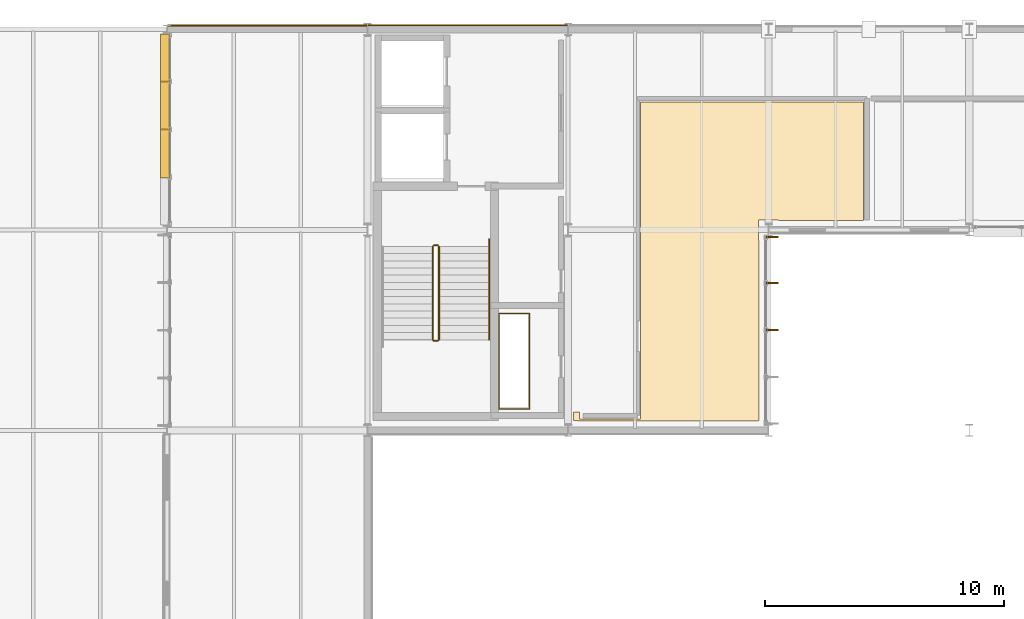
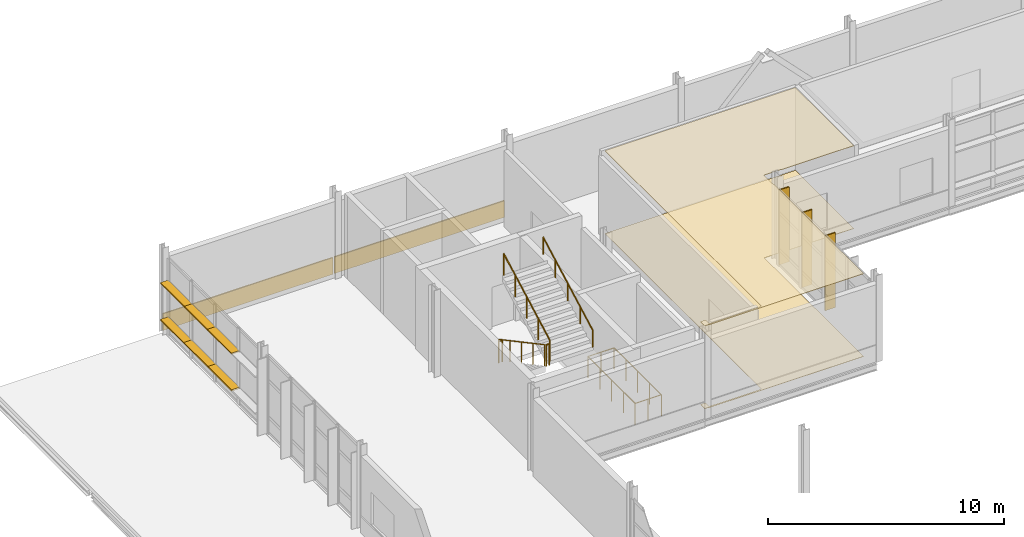
# One storey, part 117 of 129: 9 shading devices, 6 railings, 4 coverings.
"""IFC4 building model written with IfcOpenShell, lengths in metres."""

import ifcopenshell
import ifcopenshell.guid

model = None  # the IFC model being written
_history = None  # IfcOwnerHistory: only IFC2X3 demands one
_inside = {}  # id of a spatial element -> (the spatial element, [elements in it])
_under = {}  # id of a project, library or spatial element -> (it, [spatial elements below it])
_declared = {}  # id of a project -> (the project, [libraries it declares])
_typed = {}  # id of a type object -> (the type object, [elements of that type])
_made_of = {}  # id of a material, layer set ... -> (it, [elements and type objects made of it])


def new_model(schema):
    """Start an empty IFC model of exactly this schema.

    Asked for "IFC4X3", IfcOpenShell would pick the latest addendum, in which some entities
    have other attributes; the version numbers below select the first issue.
    IFC2X3 requires an IfcOwnerHistory on every rooted entity: one is made here for all.
    """
    global model, _history
    if schema == "IFC4X3":
        model = ifcopenshell.file(schema_version=(4, 3, 0, 0))
    else:
        model = ifcopenshell.file(schema=schema)
    _inside.clear()
    _under.clear()
    _declared.clear()
    _typed.clear()
    _made_of.clear()
    _history = None
    if model.schema == "IFC2X3":
        org = make("IfcOrganization", Name="unknown")
        user = make(
            "IfcPersonAndOrganization",
            ThePerson=make("IfcPerson", FamilyName="unknown"),
            TheOrganization=org,
        )
        app = make(
            "IfcApplication",
            ApplicationDeveloper=org,
            Version="unknown",
            ApplicationFullName="unknown",
            ApplicationIdentifier="unknown",
        )
        _history = make(
            "IfcOwnerHistory",
            OwningUser=user,
            OwningApplication=app,
            ChangeAction="ADDED",
            CreationDate=0,
        )
    return model


def make(cls, **values):
    """One entity of the class cls with the attributes given. An attribute that is None is left unset."""
    return model.create_entity(
        cls, **{name: value for name, value in values.items() if value is not None}
    )


def rooted(cls, **values):
    """An entity with a GlobalId (a new one), such as an element, a storey or a relation."""
    return make(cls, GlobalId=ifcopenshell.guid.new(), OwnerHistory=_history, **values)


def si_unit(unit_type, name, prefix=None):
    """IfcSIUnit, for example si_unit("LENGTHUNIT", "METRE", prefix="MILLI")."""
    return make("IfcSIUnit", UnitType=unit_type, Prefix=prefix, Name=name)


def assignment(units):
    """IfcUnitAssignment: the units of a project."""
    return None if units is None else make("IfcUnitAssignment", Units=units)


def point(xyz):
    """IfcCartesianPoint."""
    return None if xyz is None else make("IfcCartesianPoint", Coordinates=xyz)


def direction(xyz):
    """IfcDirection."""
    return None if xyz is None else make("IfcDirection", DirectionRatios=xyz)


def frame(location, z_axis=None, x_axis=None):
    """IfcAxis2Placement3D, a coordinate frame: its origin and axes. An axis left out is left unset."""
    return make(
        "IfcAxis2Placement3D",
        Location=point(location),
        Axis=direction(z_axis),
        RefDirection=direction(x_axis),
    )


def frame_2d(location, x_axis=None):
    """IfcAxis2Placement2D, a coordinate frame in the plane: its origin and x axis."""
    return make(
        "IfcAxis2Placement2D", Location=point(location), RefDirection=direction(x_axis)
    )


def origin():
    """The frame at (0, 0, 0) with its axes left unset."""
    return frame((0.0, 0.0, 0.0))


def origin_2d():
    """The frame at (0, 0) in the plane with its x axis left unset."""
    return frame_2d((0.0, 0.0))


def place(relative_to, where):
    """IfcLocalPlacement: puts the frame where relative to a parent placement (None: the world)."""
    return make(
        "IfcLocalPlacement", PlacementRelTo=relative_to, RelativePlacement=where
    )


def context(
    kind, dimensions, precision=None, world=None, true_north=None, identifier=None
):
    """IfcGeometricRepresentationContext, for example the 3D "Model" context."""
    return make(
        "IfcGeometricRepresentationContext",
        ContextIdentifier=identifier,
        ContextType=kind,
        CoordinateSpaceDimension=dimensions,
        Precision=precision,
        WorldCoordinateSystem=world,
        TrueNorth=true_north,
    )


def subcontext(parent, identifier, kind, view, scale=None):
    """IfcGeometricRepresentationSubContext, for example "Body" below "Model"."""
    return make(
        "IfcGeometricRepresentationSubContext",
        ContextIdentifier=identifier,
        ContextType=kind,
        ParentContext=parent,
        TargetScale=scale,
        TargetView=view,
    )


def project(units=None, contexts=None):
    """IfcProject with its units and contexts."""
    return rooted(
        "IfcProject",
        Name="project",
        RepresentationContexts=contexts,
        UnitsInContext=assignment(units),
    )


def spatial(cls, under=None, at=None, **own):
    """A site, building, storey or space (cls), placed at a placement, below another one or the project."""
    s = rooted(cls, ObjectPlacement=at, **own)
    if under is not None:
        _under.setdefault(under.id(), (under, []))[1].append(s)
    return s


def polyline(points):
    """IfcPolyline through the points."""
    return make("IfcPolyline", Points=[point(p) for p in points])


def profile(cls, at=None, kind="AREA", **sizes):
    """A parametric profile (cls). Its sizes go by their IFC names, for example OverallWidth=200.0."""
    return make(cls, ProfileType=kind, Position=at, **sizes)


def rectangle(**sizes):
    """IfcRectangleProfileDef."""
    return profile("IfcRectangleProfileDef", **sizes)


def circle(**sizes):
    """IfcCircleProfileDef."""
    return profile("IfcCircleProfileDef", **sizes)


def outline(outer, holes=None, kind="AREA"):
    """IfcArbitraryClosedProfileDef: a profile drawn as a closed curve; with holes, ...WithVoids."""
    if holes is None:
        return make("IfcArbitraryClosedProfileDef", ProfileType=kind, OuterCurve=outer)
    return make(
        "IfcArbitraryProfileDefWithVoids",
        ProfileType=kind,
        OuterCurve=outer,
        InnerCurves=holes,
    )


def extrude(swept, where, along, depth):
    """IfcExtrudedAreaSolid: the profile swept, set in the frame where, extruded along a direction by depth."""
    return make(
        "IfcExtrudedAreaSolid",
        SweptArea=swept,
        Position=where,
        ExtrudedDirection=direction(along),
        Depth=depth,
    )


def shape(context_of_items, identifier, shape_type, items):
    """IfcShapeRepresentation: the items that make up one representation, for example the "Body"."""
    return make(
        "IfcShapeRepresentation",
        ContextOfItems=context_of_items,
        RepresentationIdentifier=identifier,
        RepresentationType=shape_type,
        Items=items,
    )


def material(Name=None, Category=None):
    """IfcMaterial."""
    return make("IfcMaterial", Name=Name, Category=Category)


def layer(
    of_material, thickness, ventilated=None, Name=None, Category=None, Priority=None
):
    """IfcMaterialLayer: one layer of a wall or slab, of a material (None: an air gap)."""
    return make(
        "IfcMaterialLayer",
        Material=of_material,
        LayerThickness=thickness,
        IsVentilated=ventilated,
        Name=Name,
        Category=Category,
        Priority=Priority,
    )


def layer_set(layers, Name=None):
    """IfcMaterialLayerSet."""
    return make("IfcMaterialLayerSet", MaterialLayers=layers, LayerSetName=Name)


def made_of(thing, what):
    """Note that an element or type object is made of a material, layer set ...; save() writes the relation."""
    if what is not None:
        _made_of.setdefault(what.id(), (what, []))[1].append(thing)
    return thing


def type_object(cls, material=None, **own):
    """A type object (cls), such as IfcWallType, which elements share."""
    return made_of(rooted(cls, **own), material)


def element(
    cls,
    number,
    at=None,
    inside=None,
    cuts=None,
    type_object=None,
    material=None,
    context=None,
    identifier="Body",
    shape_type=None,
    held_by="IfcProductDefinitionShape",
    body=None,
    shapes=None,
    **own,
):
    """One element of the class cls, such as IfcWall. Its Tag is "e" and its number.

    at: its placement. inside: the storey or other place that contains it. cuts: it is an
    opening in that element (IfcRelVoidsElement). A single representation is given by context,
    identifier, shape_type and body (its items); several are given by shapes. held_by: the class
    of the entity that holds the representations. save() writes the other relations.
    """
    e = rooted(cls, Tag="e%d" % number, ObjectPlacement=at, **own)
    if body is not None:
        shapes = [shape(context, identifier, shape_type, body)]
    if shapes is not None:
        e.Representation = make(held_by, Representations=shapes)
    if inside is not None:
        _inside.setdefault(inside.id(), (inside, []))[1].append(e)
    if cuts is not None:
        rooted(
            "IfcRelVoidsElement", RelatingBuildingElement=cuts, RelatedOpeningElement=e
        )
    if type_object is not None:
        _typed.setdefault(type_object.id(), (type_object, []))[1].append(e)
    return made_of(e, material)


def aggregate(whole, parts):
    """IfcRelAggregates: a whole, such as a stair, and the parts it consists of."""
    return rooted("IfcRelAggregates", RelatingObject=whole, RelatedObjects=parts)


def save(model, path):
    """Write the relations noted so far, then the file.

    IfcRelAggregates (storeys below a building ...), IfcRelContainedInSpatialStructure (elements
    in a storey), IfcRelDefinesByType, IfcRelAssociatesMaterial and IfcRelDeclares: one each for
    every whole, place, type object, material and project.
    """
    for whole, parts in _under.values():
        aggregate(whole, parts)
    for where, things in _inside.values():
        rooted(
            "IfcRelContainedInSpatialStructure",
            RelatedElements=things,
            RelatingStructure=where,
        )
    for kind, things in _typed.values():
        rooted("IfcRelDefinesByType", RelatedObjects=things, RelatingType=kind)
    for what, things in _made_of.values():
        rooted("IfcRelAssociatesMaterial", RelatedObjects=things, RelatingMaterial=what)
    for by, libraries in _declared.values():
        rooted("IfcRelDeclares", RelatingContext=by, RelatedDefinitions=libraries)
    model.write(path)


model = new_model("IFC4")

# Units and contexts
model_context = context("Model", 3, precision=1e-05, world=origin(), true_north=direction((0.0, 1.0)))
body_context = subcontext(model_context, "Body", "Model", "MODEL_VIEW")
ifc_project = project(units=[si_unit("LENGTHUNIT", "METRE"), si_unit("AREAUNIT", "SQUARE_METRE"), si_unit("VOLUMEUNIT", "CUBIC_METRE"), si_unit("PLANEANGLEUNIT", "RADIAN"), si_unit("MASSUNIT", "GRAM", prefix="KILO")], contexts=[model_context])

# Site, building, storey
site_placement = place(None, origin())
site = spatial("IfcSite", under=ifc_project, at=site_placement, CompositionType="ELEMENT")
building_placement = place(site_placement, origin())
building = spatial("IfcBuilding", under=site, at=building_placement, Name="Mersafa Astral City Hall", CompositionType="ELEMENT")
storey_placement = place(building_placement, frame((0.0, 0.0, 5.39990234375)))
storey = spatial("IfcBuildingStorey", under=building, at=storey_placement, Name="L01", CompositionType="ELEMENT", Elevation=5.39990234375)

# Coverings
ifc_material_1 = material(Name="Cairo Mokattam buff limestone cladding", Category="masonry")
ifc_layer_1 = layer(ifc_material_1, 0.06005859375, Name="Cairo Mokattam buff limestone cladding")
ifc_layer_set_1 = layer_set([ifc_layer_1], Name="Cairo Mokattam buff limestone cladding — ENV-COV-LIMESTONE-60")
covering_type_1 = type_object("IfcCoveringType", Name="ENV-COV-LIMESTONE-60", PredefinedType="CLADDING", material=ifc_layer_set_1)
for number, where, z_axis, x_axis, name in (
    (1, (46.199951171875, 126.16943359375, 0.0), (0.0, 0.0, 1.0), (-1.0, 0.0, 0.0), "L01 Cairo buff limestone rainscreen cladding 109"),
    (2, (37.800048828125, 126.162109375, 0.0), (0.0, 0.0, 1.0), (-1.0, 0.0, 0.0), "L01 Cairo buff limestone rainscreen cladding 110"),
):
    element("IfcCovering", number, at=place(storey_placement, frame(where, z_axis=z_axis, x_axis=x_axis)), inside=storey, type_object=covering_type_1, Name=name, PredefinedType="CLADDING", context=body_context, shape_type="SweptSolid", body=[
        extrude(rectangle(XDim=8.323974609375, YDim=0.06005859375, at=origin_2d()), origin(), (0.0, 0.0, 1.0), 0.860107421875),
    ])

# Shading devices
ifc_material_2 = material(Name="Anodised bronze aluminium solar fin", Category="aluminium")
shading_device_type_1 = type_object("IfcShadingDeviceType", Name="ENV-SHD-FIN-500B", PredefinedType="USERDEFINED", material=ifc_material_2)
for number, where, z_axis, x_axis, name in (
    (3, (58.945068359375, 113.39990234375, -0.014892578125), (0.0, 0.0, 1.0), (0.0, 1.0, 0.0), "L01 Vertical bronze solar fin 553"),
    (4, (58.945068359375, 115.368896484375, -0.014892578125), (0.0, 0.0, 1.0), (0.0, 1.0, 0.0), "L01 Vertical bronze solar fin 554"),
    (5, (58.945068359375, 117.30810546875, -0.014892578125), (0.0, 0.0, 1.0), (0.0, 1.0, 0.0), "L01 Vertical bronze solar fin 555"),
):
    element("IfcShadingDevice", number, at=place(storey_placement, frame(where, z_axis=z_axis, x_axis=x_axis)), inside=storey, type_object=shading_device_type_1, Name=name, ObjectType="FIN", PredefinedType="USERDEFINED", context=body_context, shape_type="SweptSolid", body=[
        extrude(rectangle(XDim=0.06005859375, YDim=0.5, at=origin_2d()), origin(), (0.0, 0.0, 1.0), 3.8720703125),
    ])
ifc_material_3 = material(Name="Kiln-dried cedar timber brise-soleil blade", Category="wood")
shading_device_type_2 = type_object("IfcShadingDeviceType", Name="ENV-SHD-LOUVRE-380", PredefinedType="JALOUSIE", material=ifc_material_3)
shading_device_1_placement = place(storey_placement, frame((33.52001953125, 124.7998046875, 0.81494140625), z_axis=(0.0, 0.0, 1.0), x_axis=(0.0, -1.0, 0.0)))
element("IfcShadingDevice", 6, at=shading_device_1_placement, inside=storey, type_object=shading_device_type_2, Name="L01 Horizontal cedar brise-soleil louvre 506", PredefinedType="JALOUSIE", context=body_context, shape_type="SweptSolid", body=[
    extrude(rectangle(XDim=2.0166015625, YDim=0.3798828125, at=origin_2d()), origin(), (0.0, 0.0, 1.0), 0.070068359375),
])
for number, where, z_axis, x_axis, name in (
    (7, (33.52001953125, 122.808349609375, 0.81494140625), (0.0, 0.0, 1.0), (0.0, -1.0, 0.0), "L01 Horizontal cedar brise-soleil louvre 507"),
    (8, (33.52001953125, 120.8017578125, 0.81494140625), (0.0, 0.0, 1.0), (0.0, -1.0, 0.0), "L01 Horizontal cedar brise-soleil louvre 508"),
):
    element("IfcShadingDevice", number, at=place(storey_placement, frame(where, z_axis=z_axis, x_axis=x_axis)), inside=storey, type_object=shading_device_type_2, Name=name, PredefinedType="JALOUSIE", context=body_context, shape_type="SweptSolid", body=[
        extrude(rectangle(XDim=2.04638671875, YDim=0.3798828125, at=origin_2d()), origin(), (0.0, 0.0, 1.0), 0.070068359375),
    ])
shading_device_2_placement = place(storey_placement, frame((33.52001953125, 124.7998046875, 2.71484375), z_axis=(0.0, 0.0, 1.0), x_axis=(0.0, -1.0, 0.0)))
element("IfcShadingDevice", 9, at=shading_device_2_placement, inside=storey, type_object=shading_device_type_2, Name="L01 Horizontal cedar brise-soleil louvre 510", PredefinedType="JALOUSIE", context=body_context, shape_type="SweptSolid", body=[
    extrude(rectangle(XDim=2.0166015625, YDim=0.3798828125, at=origin_2d()), origin(), (0.0, 0.0, 1.0), 0.070068359375),
])
for number, where, z_axis, x_axis, name in (
    (10, (33.52001953125, 122.808349609375, 2.71484375), (0.0, 0.0, 1.0), (0.0, -1.0, 0.0), "L01 Horizontal cedar brise-soleil louvre 511"),
    (11, (33.52001953125, 120.8017578125, 2.71484375), (0.0, 0.0, 1.0), (0.0, -1.0, 0.0), "L01 Horizontal cedar brise-soleil louvre 512"),
):
    element("IfcShadingDevice", number, at=place(storey_placement, frame(where, z_axis=z_axis, x_axis=x_axis)), inside=storey, type_object=shading_device_type_2, Name=name, PredefinedType="JALOUSIE", context=body_context, shape_type="SweptSolid", body=[
        extrude(rectangle(XDim=2.04638671875, YDim=0.3798828125, at=origin_2d()), origin(), (0.0, 0.0, 1.0), 0.070068359375),
    ])

# Railings
ifc_material_4 = material(Name="Painted architectural steel stair guard balustrade", Category="steel")
railing_type_1 = type_object("IfcRailingType", Name="GUARD-RAIL", PredefinedType="BALUSTRADE", material=ifc_material_4)
railing_1_placement = place(storey_placement, frame((44.72998046875, 116.89990234375, 0.160888671875)))
element("IfcRailing", 12, at=railing_1_placement, inside=storey, type_object=railing_type_1, Name="L01 ST3 stair guard 1", PredefinedType="BALUSTRADE", context=body_context, shape_type="SweptSolid", body=[
    extrude(circle(Radius=0.02392578125, at=origin_2d()), frame((0.0, 0.0, 1.09619140625), z_axis=(0.0, -0.881491454809, 0.472199973632), x_axis=(1.0, 0.0, 0.0)), (0.0, 0.0, 1.0), 4.42431640625),
    extrude(circle(Radius=0.02099609375, at=origin_2d()), origin(), (0.0, 0.0, 1.0), 1.072021484375),
    extrude(circle(Radius=0.02099609375, at=origin_2d()), frame((0.0, -0.97509765625, 0.522216796875)), (0.0, 0.0, 1.0), 1.072021484375),
    extrude(circle(Radius=0.02099609375, at=origin_2d()), frame((0.0, -1.949951171875, 1.04443359375)), (0.0, 0.0, 1.0), 1.072021484375),
    extrude(circle(Radius=0.02099609375, at=origin_2d()), frame((0.0, -2.9248046875, 1.56689453125)), (0.0, 0.0, 1.0), 1.072021484375),
    extrude(circle(Radius=0.02099609375, at=origin_2d()), frame((0.0, -3.89990234375, 2.089111328125)), (0.0, 0.0, 1.0), 1.072021484375),
])
railing_2_placement = place(storey_placement, frame((44.780029296875, 112.949951171875, 2.25)))
element("IfcRailing", 13, at=railing_2_placement, inside=storey, type_object=railing_type_1, Name="L01 ST3 stair guard 2", PredefinedType="BALUSTRADE", context=body_context, shape_type="SweptSolid", body=[
    extrude(circle(Radius=0.02392578125, at=origin_2d()), frame((0.0, 0.0, 1.09619140625), z_axis=(1.0, 0.0, 0.0), x_axis=(0.0, 1.0, 0.0)), (0.0, 0.0, 1.0), 0.159912109375),
    extrude(circle(Radius=0.02099609375, at=origin_2d()), origin(), (0.0, 0.0, 1.0), 1.072021484375),
    extrude(circle(Radius=0.02099609375, at=origin_2d()), frame((0.159912109375, 0.0, 0.0)), (0.0, 0.0, 1.0), 1.072021484375),
])
railing_3_placement = place(storey_placement, frame((44.989990234375, 113.0, 2.410888671875)))
element("IfcRailing", 14, at=railing_3_placement, inside=storey, type_object=railing_type_1, Name="L01 ST3 stair guard 3", PredefinedType="BALUSTRADE", context=body_context, shape_type="SweptSolid", body=[
    extrude(circle(Radius=0.02392578125, at=origin_2d()), frame((0.0, 0.0, 1.09619140625), z_axis=(0.0, 0.881491454809, 0.472199973632), x_axis=(-1.0, 0.0, 0.0)), (0.0, 0.0, 1.0), 4.42431640625),
    extrude(circle(Radius=0.02099609375, at=origin_2d()), origin(), (0.0, 0.0, 1.0), 1.072021484375),
    extrude(circle(Radius=0.02099609375, at=origin_2d()), frame((0.0, 0.97509765625, 0.522216796875)), (0.0, 0.0, 1.0), 1.072021484375),
    extrude(circle(Radius=0.02099609375, at=origin_2d()), frame((0.0, 1.949951171875, 1.04443359375)), (0.0, 0.0, 1.0), 1.072021484375),
    extrude(circle(Radius=0.02099609375, at=origin_2d()), frame((0.0, 2.9248046875, 1.56689453125)), (0.0, 0.0, 1.0), 1.072021484375),
    extrude(circle(Radius=0.02099609375, at=origin_2d()), frame((0.0, 3.89990234375, 2.089111328125)), (0.0, 0.0, 1.0), 1.072021484375),
])
railing_4_placement = place(storey_placement, frame((44.780029296875, 116.949951171875, 0.0)))
element("IfcRailing", 15, at=railing_4_placement, inside=storey, type_object=railing_type_1, Name="L01 ST3 stair guard 4", PredefinedType="BALUSTRADE", context=body_context, shape_type="SweptSolid", body=[
    extrude(circle(Radius=0.02392578125, at=origin_2d()), frame((0.0, 0.0, 1.09619140625), z_axis=(1.0, 0.0, 0.0), x_axis=(0.0, 1.0, 0.0)), (0.0, 0.0, 1.0), 0.159912109375),
    extrude(circle(Radius=0.02099609375, at=origin_2d()), origin(), (0.0, 0.0, 1.0), 1.072021484375),
    extrude(circle(Radius=0.02099609375, at=origin_2d()), frame((0.159912109375, 0.0, 0.0)), (0.0, 0.0, 1.0), 1.072021484375),
])
railing_5_placement = place(storey_placement, frame((47.5, 110.10009765625, 0.0)))
element("IfcRailing", 16, at=railing_5_placement, inside=storey, type_object=railing_type_1, Name="L01 K3 MEP Riser Shaft Guard", PredefinedType="BALUSTRADE", context=body_context, shape_type="SweptSolid", body=[
    extrude(circle(Radius=0.02392578125, at=origin_2d()), frame((0.0, 0.0, 1.09619140625), z_axis=(1.0, 0.0, 0.0), x_axis=(0.0, 1.0, 0.0)), (0.0, 0.0, 1.0), 1.280029296875),
    extrude(circle(Radius=0.02392578125, at=origin_2d()), frame((1.280029296875, 0.0, 1.09619140625), z_axis=(0.0, 1.0, 0.0), x_axis=(-1.0, 0.0, 0.0)), (0.0, 0.0, 1.0), 4.0),
    extrude(circle(Radius=0.02392578125, at=origin_2d()), frame((1.280029296875, 4.0, 1.09619140625), z_axis=(-1.0, 0.0, 0.0), x_axis=(0.0, -1.0, 0.0)), (0.0, 0.0, 1.0), 1.280029296875),
    extrude(circle(Radius=0.02392578125, at=origin_2d()), frame((0.0, 4.0, 1.09619140625), z_axis=(0.0, -1.0, 0.0), x_axis=(1.0, 0.0, 0.0)), (0.0, 0.0, 1.0), 4.0),
    extrude(circle(Radius=0.02099609375, at=origin_2d()), origin(), (0.0, 0.0, 1.0), 1.072021484375),
    extrude(circle(Radius=0.02099609375, at=origin_2d()), frame((0.64013671875, 0.0, 0.0)), (0.0, 0.0, 1.0), 1.072021484375),
    extrude(circle(Radius=0.02099609375, at=origin_2d()), frame((1.280029296875, 0.0, 0.0)), (0.0, 0.0, 1.0), 1.072021484375),
    extrude(circle(Radius=0.02099609375, at=origin_2d()), frame((1.280029296875, 1.0, 0.0)), (0.0, 0.0, 1.0), 1.072021484375),
    extrude(circle(Radius=0.02099609375, at=origin_2d()), frame((1.280029296875, 2.0, 0.0)), (0.0, 0.0, 1.0), 1.072021484375),
    extrude(circle(Radius=0.02099609375, at=origin_2d()), frame((1.280029296875, 3.0, 0.0)), (0.0, 0.0, 1.0), 1.072021484375),
    extrude(circle(Radius=0.02099609375, at=origin_2d()), frame((1.280029296875, 4.0, 0.0)), (0.0, 0.0, 1.0), 1.072021484375),
    extrude(circle(Radius=0.02099609375, at=origin_2d()), frame((0.64013671875, 4.0, 0.0)), (0.0, 0.0, 1.0), 1.072021484375),
    extrude(circle(Radius=0.02099609375, at=origin_2d()), frame((0.0, 4.0, 0.0)), (0.0, 0.0, 1.0), 1.072021484375),
    extrude(circle(Radius=0.02099609375, at=origin_2d()), frame((0.0, 3.0, 0.0)), (0.0, 0.0, 1.0), 1.072021484375),
    extrude(circle(Radius=0.02099609375, at=origin_2d()), frame((0.0, 2.0, 0.0)), (0.0, 0.0, 1.0), 1.072021484375),
    extrude(circle(Radius=0.02099609375, at=origin_2d()), frame((0.0, 1.0, 0.0)), (0.0, 0.0, 1.0), 1.072021484375),
])
ifc_material_5 = material(Name="Brushed stainless steel tubular handrail", Category="steel")
railing_type_2 = type_object("IfcRailingType", Name="HANDRAIL", PredefinedType="HANDRAIL", material=ifc_material_5)
railing_6_placement = place(storey_placement, frame((47.090087890625, 113.0, 2.410888671875)))
element("IfcRailing", 17, at=railing_6_placement, inside=storey, type_object=railing_type_2, Name="L01 ST3 stair handrail 2", PredefinedType="HANDRAIL", context=body_context, shape_type="SweptSolid", body=[
    extrude(circle(Radius=0.02392578125, at=origin_2d()), frame((0.0, 0.0, 0.8759765625), z_axis=(0.0, 0.881221683169, 0.472703231546), x_axis=(-1.0, 0.0, 0.0)), (0.0, 0.0, 1.0), 4.76611328125),
    extrude(circle(Radius=0.02099609375, at=origin_2d()), origin(), (0.0, 0.0, 1.0), 0.851806640625),
    extrude(circle(Radius=0.02099609375, at=origin_2d()), frame((0.0, 1.050048828125, 0.563232421875)), (0.0, 0.0, 1.0), 0.851806640625),
    extrude(circle(Radius=0.02099609375, at=origin_2d()), frame((0.0, 2.10009765625, 1.12646484375)), (0.0, 0.0, 1.0), 0.851806640625),
    extrude(circle(Radius=0.02099609375, at=origin_2d()), frame((0.0, 3.14990234375, 1.689697265625)), (0.0, 0.0, 1.0), 0.851806640625),
    extrude(circle(Radius=0.02099609375, at=origin_2d()), frame((0.0, 4.199951171875, 2.2529296875)), (0.0, 0.0, 1.0), 0.851806640625),
])

# Coverings
ifc_material_6 = material(Name="Perforated acoustic gypsum board ceiling", Category="gypsum")
ifc_layer_2 = layer(ifc_material_6, 0.02490234375, Name="Perforated acoustic gypsum board ceiling")
ifc_layer_set_2 = layer_set([ifc_layer_2], Name="Perforated acoustic gypsum board ceiling — INT-COV-CEIL-25")
covering_type_2 = type_object("IfcCoveringType", Name="INT-COV-CEIL-25", PredefinedType="CEILING", material=ifc_layer_set_2)
covering_1_placement = place(storey_placement, frame((0.0, 0.0, 4.281005859375)))
element("IfcCovering", 18, at=covering_1_placement, inside=storey, type_object=covering_type_2, Name="L01 Legislative Drafting Office L01-08 acoustic ceiling", PredefinedType="CEILING", context=body_context, shape_type="SweptSolid", body=[
    extrude(outline(polyline([(50.820068359375, 109.6201171875), (50.6298828125, 109.6201171875), (50.6298828125, 109.97998046875), (50.8798828125, 109.97998046875), (50.8798828125, 109.679931640625), (53.43994140625, 109.679931640625), (53.43994140625, 122.9599609375), (62.77001953125, 122.9599609375), (62.77001953125, 118.0), (59.219970703125, 118.0), (59.219970703125, 118.02001953125), (58.3798828125, 118.02001953125), (58.3798828125, 117.179931640625), (58.39990234375, 117.179931640625), (58.39990234375, 109.6201171875), (58.3798828125, 109.6201171875), (58.3798828125, 109.60009765625), (50.820068359375, 109.60009765625), (50.820068359375, 109.6201171875)])), origin(), (0.0, 0.0, 1.0), 0.025146484375),
])
ifc_material_7 = material(Name="Honed Cairo limestone terrazzo flooring", Category="masonry")
ifc_layer_3 = layer(ifc_material_7, 0.02001953125, Name="Honed Cairo limestone terrazzo flooring")
ifc_layer_set_3 = layer_set([ifc_layer_3], Name="Honed Cairo limestone terrazzo flooring — INT-COV-FLR-20")
covering_type_3 = type_object("IfcCoveringType", Name="INT-COV-FLR-20", PredefinedType="FLOORING", material=ifc_layer_set_3)
covering_2_placement = place(storey_placement, frame((0.0, 0.0, -0.00146484375)))
element("IfcCovering", 19, at=covering_2_placement, inside=storey, type_object=covering_type_3, Name="L01 Legislative Drafting Office L01-08 architectural flooring", PredefinedType="FLOORING", context=body_context, shape_type="SweptSolid", body=[
    extrude(outline(polyline([(50.820068359375, 109.6201171875), (50.6298828125, 109.6201171875), (50.6298828125, 109.97998046875), (50.8798828125, 109.97998046875), (50.8798828125, 109.679931640625), (53.43994140625, 109.679931640625), (53.43994140625, 122.9599609375), (62.77001953125, 122.9599609375), (62.77001953125, 118.0), (59.219970703125, 118.0), (59.219970703125, 118.02001953125), (58.3798828125, 118.02001953125), (58.3798828125, 117.179931640625), (58.39990234375, 117.179931640625), (58.39990234375, 109.6201171875), (58.3798828125, 109.6201171875), (58.3798828125, 109.60009765625), (50.820068359375, 109.60009765625), (50.820068359375, 109.6201171875)])), origin(), (0.0, 0.0, 1.0), 0.02001953125),
])

save(model, "model.ifc")
